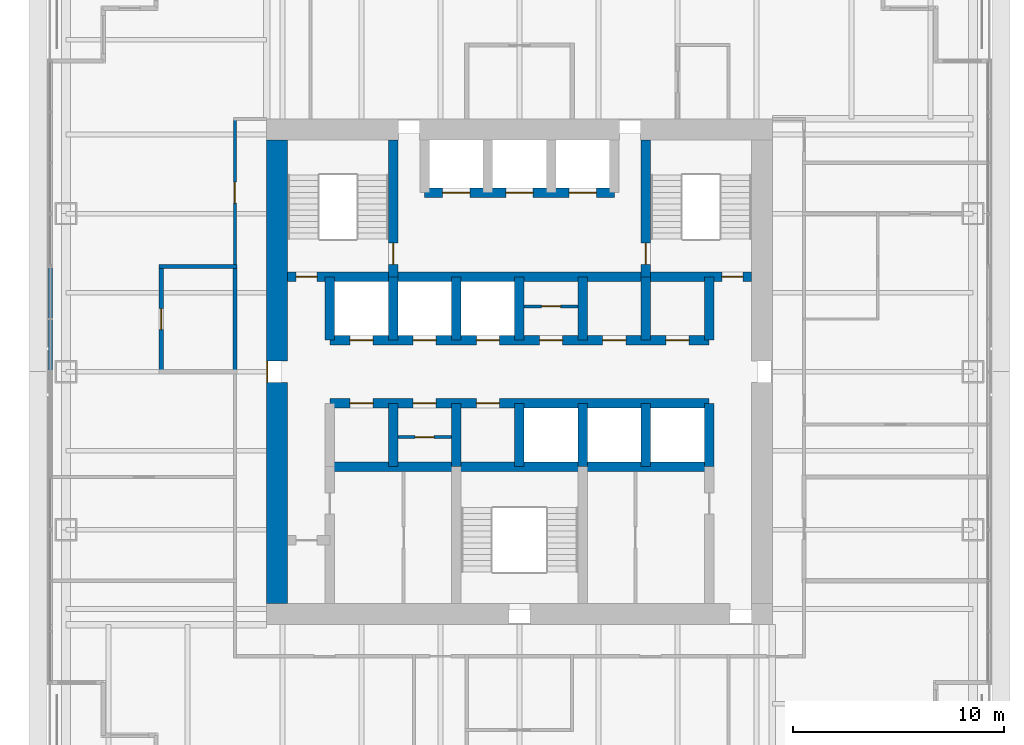
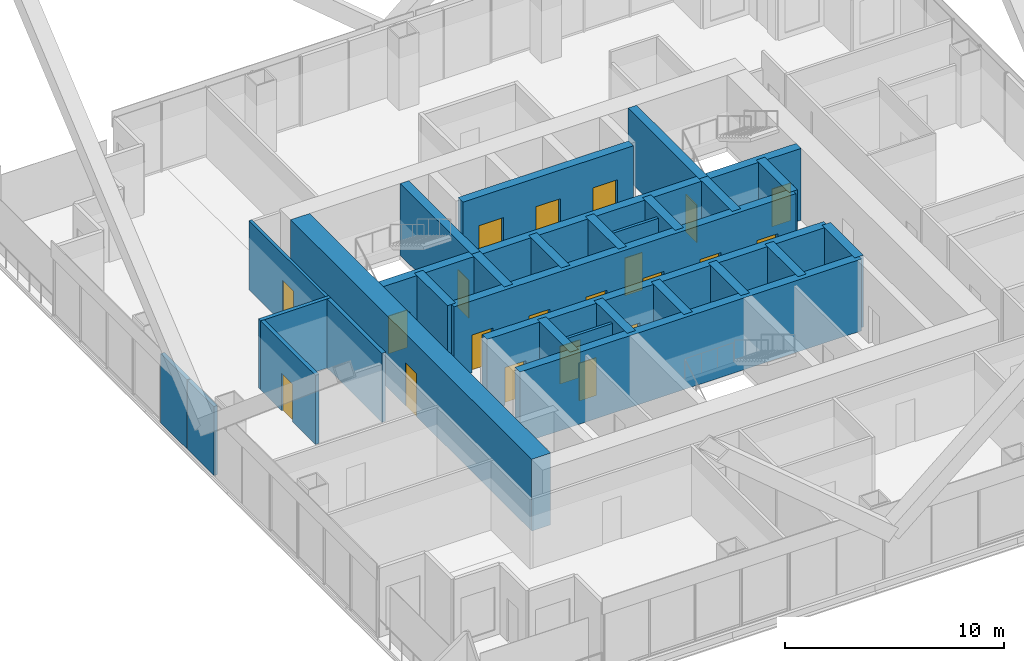
# One storey, part 15 of 19: 29 walls, 21 doors, 21 openings.
"""IFC4 building model written with IfcOpenShell, lengths in metres."""

from ifc_helpers import new_model, si_unit, direction, frame, frame_2d, origin, place, context, subcontext, project, spatial, rectangle, extrude, material, layer, layer_set, type_object, element, fill, save


model = new_model("IFC4")

# Units and contexts
model_context = context("Model", 3, precision=1e-05, world=origin(), true_north=direction((0.0, 1.0)))
body_context = subcontext(model_context, "Body", "Model", "MODEL_VIEW")
ifc_project = project(units=[si_unit("LENGTHUNIT", "METRE"), si_unit("AREAUNIT", "SQUARE_METRE"), si_unit("VOLUMEUNIT", "CUBIC_METRE"), si_unit("PLANEANGLEUNIT", "RADIAN"), si_unit("MASSUNIT", "GRAM", prefix="KILO")], contexts=[model_context])

# Site, building, storey
site_placement = place(None, origin())
site = spatial("IfcSite", under=ifc_project, at=site_placement, CompositionType="ELEMENT")
building_placement = place(site_placement, origin())
building = spatial("IfcBuilding", under=site, at=building_placement, Name="Tarangal Relay Tower", CompositionType="ELEMENT")
storey_placement = place(building_placement, frame((0.0, 0.0, 193.89990234375)))
storey = spatial("IfcBuildingStorey", under=building, at=storey_placement, Name="L40", CompositionType="ELEMENT", Elevation=193.89990234375)

# Wall
ifc_material_1 = material(Name="Two layers gypsum board each side on twin steel studs, mineral wool", Category="steel")
ifc_layer_1 = layer(ifc_material_1, 0.199951171875)
ifc_layer_set_1 = layer_set([ifc_layer_1], Name="Acoustic partition 200")
wall_type_1 = type_object("IfcWallType", Name="Acoustic partition 200", PredefinedType="PARTITIONING", material=ifc_layer_set_1)
wall_1_placement = place(storey_placement, frame((-17.10009765625, 5.0, 0.0), z_axis=(0.0, 0.0, 1.0), x_axis=(1.0, 0.0, 0.0)))
element("IfcWall", 1, at=wall_1_placement, inside=storey, type_object=wall_type_1, Name="Partition PT2 L40", PredefinedType="PARTITIONING", context=body_context, shape_type="SweptSolid", body=[
    extrude(rectangle(XDim=3.7001953125, YDim=0.199951171875, at=frame_2d((1.85009765625, 0.0))), origin(), (0.0, 0.0, 1.0), 3.85009765625),
])

# Wall, opening, door
wall_2_placement = place(storey_placement, frame((-17.0, -0.10009765625, 0.0), z_axis=(0.0, 0.0, 1.0), x_axis=(0.0, 1.0, 0.0)))
wall_2 = element("IfcWall", 2, at=wall_2_placement, inside=storey, type_object=wall_type_1, Name="Partition PT2 L40", PredefinedType="PARTITIONING", context=body_context, shape_type="SweptSolid", body=[
    extrude(rectangle(XDim=5.2001953125, YDim=0.199951171875, at=frame_2d((2.60009765625, 0.0))), origin(), (0.0, 0.0, 1.0), 3.85009765625),
])
opening_1_placement = place(wall_2_placement, frame((2.10009765625, 0.0, 0.0)))
opening_1 = element("IfcOpeningElement", 3, at=opening_1_placement, cuts=wall_2, Name="Opening D2", PredefinedType="OPENING", context=body_context, shape_type="SweptSolid", body=[
    extrude(rectangle(XDim=1.0, YDim=2.10009765625, at=frame_2d((0.5, 1.050048828125))), frame((0.0, 0.10986328125, 0.0), z_axis=(0.0, -1.0, 0.0), x_axis=(1.0, 0.0, 0.0)), (0.0, 0.0, 1.0), 0.219970703125),
])
ifc_material_2 = material(Name="Hardwood door", Category="wood")
door_type_1 = type_object("IfcDoorType", Name="Door 1000 x 2100", OperationType="SINGLE_SWING_LEFT", PredefinedType="DOOR", material=ifc_material_2)
door_1_placement = place(opening_1_placement, origin())
door_1 = element("IfcDoor", 4, at=door_1_placement, inside=storey, type_object=door_type_1, Name="Door D2 to meeting room L40-13", OperationType="SINGLE_SWING_LEFT", OverallHeight=2.10009765625, OverallWidth=1.0, PredefinedType="DOOR", context=body_context, shape_type="SweptSolid", body=[
    extrude(rectangle(XDim=1.0, YDim=2.10009765625, at=frame_2d((0.5, 1.050048828125))), frame((0.0, 0.02490234375, 0.0), z_axis=(0.0, -1.0, 0.0), x_axis=(1.0, 0.0, 0.0)), (0.0, 0.0, 1.0), 0.050048828125),
])
fill(opening_1, door_1)

# Wall
wall_3_placement = place(storey_placement, frame((-13.5, -0.10009765625, 0.0), z_axis=(0.0, 0.0, 1.0), x_axis=(0.0, 1.0, 0.0)))
element("IfcWall", 5, at=wall_3_placement, inside=storey, type_object=wall_type_1, Name="Partition PT2 L40", PredefinedType="PARTITIONING", context=body_context, shape_type="SweptSolid", body=[
    extrude(rectangle(XDim=5.2001953125, YDim=0.199951171875, at=frame_2d((2.60009765625, 0.0))), origin(), (0.0, 0.0, 1.0), 3.85009765625),
])

# Wall, openings, doors
ifc_material_3 = material(Name="Concrete fc' 60 MPa", Category="concrete")
ifc_layer_2 = layer(ifc_material_3, 0.449951171875)
ifc_layer_set_2 = layer_set([ifc_layer_2], Name="Core inner wall 450")
wall_type_2 = type_object("IfcWallType", Name="Core inner wall 450", PredefinedType="SHEAR", material=ifc_layer_set_2)
wall_4_placement = place(storey_placement, frame((-11.0, 4.5, 0.0), z_axis=(0.0, 0.0, 1.0), x_axis=(1.0, 0.0, 0.0)))
wall_4 = element("IfcWall", 6, at=wall_4_placement, inside=storey, type_object=wall_type_2, Name="Core wall Y45 L40", PredefinedType="SHEAR", context=body_context, shape_type="SweptSolid", body=[
    extrude(rectangle(XDim=22.0, YDim=0.449951171875, at=frame_2d((11.0, 0.0))), origin(), (0.0, 0.0, 1.0), 4.0),
])
opening_2_placement = place(wall_4_placement, frame((0.39990234375, 0.0, 0.0)))
opening_2 = element("IfcOpeningElement", 7, at=opening_2_placement, cuts=wall_4, Name="Opening FD1", PredefinedType="OPENING", context=body_context, shape_type="SweptSolid", body=[
    extrude(rectangle(XDim=1.0, YDim=2.10009765625, at=frame_2d((0.5, 1.050048828125))), frame((0.0, 0.23486328125, 0.0), z_axis=(0.0, -1.0, 0.0), x_axis=(1.0, 0.0, 0.0)), (0.0, 0.0, 1.0), 0.469970703125),
])
opening_3_placement = place(wall_4_placement, frame((20.60009765625, 0.0, 0.0)))
opening_3 = element("IfcOpeningElement", 8, at=opening_3_placement, cuts=wall_4, Name="Opening FD1", PredefinedType="OPENING", context=body_context, shape_type="SweptSolid", body=[
    extrude(rectangle(XDim=1.0, YDim=2.10009765625, at=frame_2d((0.5, 1.050048828125))), frame((0.0, 0.23486328125, 0.0), z_axis=(0.0, -1.0, 0.0), x_axis=(1.0, 0.0, 0.0)), (0.0, 0.0, 1.0), 0.469970703125),
])
ifc_material_4 = material(Name="Steel door with hardwood frame", Category="steel")
door_type_2 = type_object("IfcDoorType", Name="Fire door 1000 x 2100", OperationType="SINGLE_SWING_LEFT", PredefinedType="DOOR", material=ifc_material_4)
door_2_placement = place(opening_2_placement, origin())
door_2 = element("IfcDoor", 9, at=door_2_placement, inside=storey, type_object=door_type_2, Name="Stair ST-A door from corridor L40", OperationType="SINGLE_SWING_LEFT", OverallHeight=2.10009765625, OverallWidth=1.0, PredefinedType="DOOR", context=body_context, shape_type="SweptSolid", body=[
    extrude(rectangle(XDim=1.0, YDim=2.10009765625, at=frame_2d((0.5, 1.050048828125))), frame((0.0, 0.02490234375, 0.0), z_axis=(0.0, -1.0, 0.0), x_axis=(1.0, 0.0, 0.0)), (0.0, 0.0, 1.0), 0.050048828125),
])
fill(opening_2, door_2)
door_3_placement = place(opening_3_placement, origin())
door_3 = element("IfcDoor", 10, at=door_3_placement, inside=storey, type_object=door_type_2, Name="Stair ST-B door from corridor L40", OperationType="SINGLE_SWING_LEFT", OverallHeight=2.10009765625, OverallWidth=1.0, PredefinedType="DOOR", context=body_context, shape_type="SweptSolid", body=[
    extrude(rectangle(XDim=1.0, YDim=2.10009765625, at=frame_2d((0.5, 1.050048828125))), frame((0.0, 0.02490234375, 0.0), z_axis=(0.0, -1.0, 0.0), x_axis=(1.0, 0.0, 0.0)), (0.0, 0.0, 1.0), 0.050048828125),
])
fill(opening_3, door_3)

wall_5_placement = place(storey_placement, frame((-9.0, 1.5, 0.0), z_axis=(0.0, 0.0, 1.0), x_axis=(1.0, 0.0, 0.0)))
wall_5 = element("IfcWall", 11, at=wall_5_placement, inside=storey, type_object=wall_type_2, Name="Core wall Y15 L40", PredefinedType="SHEAR", context=body_context, shape_type="SweptSolid", body=[
    extrude(rectangle(XDim=18.0, YDim=0.449951171875, at=frame_2d((9.0, 0.0))), origin(), (0.0, 0.0, 1.0), 4.0),
])
opening_4_placement = place(wall_5_placement, frame((0.949951171875, 0.0, 0.0)))
opening_4 = element("IfcOpeningElement", 12, at=opening_4_placement, cuts=wall_5, Name="Opening LD1", PredefinedType="OPENING", context=body_context, shape_type="SweptSolid", body=[
    extrude(rectangle(XDim=1.10009765625, YDim=2.10009765625, at=frame_2d((0.550048828125, 1.050048828125))), frame((0.0, 0.23486328125, 0.0), z_axis=(0.0, -1.0, 0.0), x_axis=(1.0, 0.0, 0.0)), (0.0, 0.0, 1.0), 0.469970703125),
])
opening_5_placement = place(wall_5_placement, frame((3.949951171875, 0.0, 0.0)))
opening_5 = element("IfcOpeningElement", 13, at=opening_5_placement, cuts=wall_5, Name="Opening LD1", PredefinedType="OPENING", context=body_context, shape_type="SweptSolid", body=[
    extrude(rectangle(XDim=1.10009765625, YDim=2.10009765625, at=frame_2d((0.550048828125, 1.050048828125))), frame((0.0, 0.23486328125, 0.0), z_axis=(0.0, -1.0, 0.0), x_axis=(1.0, 0.0, 0.0)), (0.0, 0.0, 1.0), 0.469970703125),
])
opening_6_placement = place(wall_5_placement, frame((6.949951171875, 0.0, 0.0)))
opening_6 = element("IfcOpeningElement", 14, at=opening_6_placement, cuts=wall_5, Name="Opening LD1", PredefinedType="OPENING", context=body_context, shape_type="SweptSolid", body=[
    extrude(rectangle(XDim=1.10009765625, YDim=2.10009765625, at=frame_2d((0.550048828125, 1.050048828125))), frame((0.0, 0.23486328125, 0.0), z_axis=(0.0, -1.0, 0.0), x_axis=(1.0, 0.0, 0.0)), (0.0, 0.0, 1.0), 0.469970703125),
])
opening_7_placement = place(wall_5_placement, frame((9.949951171875, 0.0, 0.0)))
opening_7 = element("IfcOpeningElement", 15, at=opening_7_placement, cuts=wall_5, Name="Opening D4", PredefinedType="OPENING", context=body_context, shape_type="SweptSolid", body=[
    extrude(rectangle(XDim=1.10009765625, YDim=2.10009765625, at=frame_2d((0.550048828125, 1.050048828125))), frame((0.0, 0.23486328125, 0.0), z_axis=(0.0, -1.0, 0.0), x_axis=(1.0, 0.0, 0.0)), (0.0, 0.0, 1.0), 0.469970703125),
])
opening_8_placement = place(wall_5_placement, frame((12.949951171875, 0.0, 0.0)))
opening_8 = element("IfcOpeningElement", 16, at=opening_8_placement, cuts=wall_5, Name="Opening D4", PredefinedType="OPENING", context=body_context, shape_type="SweptSolid", body=[
    extrude(rectangle(XDim=1.10009765625, YDim=2.10009765625, at=frame_2d((0.550048828125, 1.050048828125))), frame((0.0, 0.23486328125, 0.0), z_axis=(0.0, -1.0, 0.0), x_axis=(1.0, 0.0, 0.0)), (0.0, 0.0, 1.0), 0.469970703125),
])
opening_9_placement = place(wall_5_placement, frame((15.949951171875, 0.0, 0.0)))
opening_9 = element("IfcOpeningElement", 17, at=opening_9_placement, cuts=wall_5, Name="Opening D4", PredefinedType="OPENING", context=body_context, shape_type="SweptSolid", body=[
    extrude(rectangle(XDim=1.10009765625, YDim=2.10009765625, at=frame_2d((0.550048828125, 1.050048828125))), frame((0.0, 0.23486328125, 0.0), z_axis=(0.0, -1.0, 0.0), x_axis=(1.0, 0.0, 0.0)), (0.0, 0.0, 1.0), 0.469970703125),
])
door_type_3 = type_object("IfcDoorType", Name="Core room door 1100 x 2100", OperationType="SINGLE_SWING_RIGHT", PredefinedType="DOOR", material=ifc_material_4)
door_4_placement = place(opening_7_placement, origin())
door_4 = element("IfcDoor", 18, at=door_4_placement, inside=storey, type_object=door_type_3, Name="Door D4 to it room L40-T1", OperationType="SINGLE_SWING_RIGHT", OverallHeight=2.10009765625, OverallWidth=1.10009765625, PredefinedType="DOOR", context=body_context, shape_type="SweptSolid", body=[
    extrude(rectangle(XDim=1.10009765625, YDim=2.10009765625, at=frame_2d((0.550048828125, 1.050048828125))), frame((0.0, 0.02490234375, 0.0), z_axis=(0.0, -1.0, 0.0), x_axis=(1.0, 0.0, 0.0)), (0.0, 0.0, 1.0), 0.050048828125),
])
fill(opening_7, door_4)
door_5_placement = place(opening_8_placement, origin())
door_5 = element("IfcDoor", 19, at=door_5_placement, inside=storey, type_object=door_type_3, Name="Door D4 to cleaner's store L40-T2", OperationType="SINGLE_SWING_RIGHT", OverallHeight=2.10009765625, OverallWidth=1.10009765625, PredefinedType="DOOR", context=body_context, shape_type="SweptSolid", body=[
    extrude(rectangle(XDim=1.10009765625, YDim=2.10009765625, at=frame_2d((0.550048828125, 1.050048828125))), frame((0.0, 0.02490234375, 0.0), z_axis=(0.0, -1.0, 0.0), x_axis=(1.0, 0.0, 0.0)), (0.0, 0.0, 1.0), 0.050048828125),
])
fill(opening_8, door_5)
door_6_placement = place(opening_9_placement, origin())
door_6 = element("IfcDoor", 20, at=door_6_placement, inside=storey, type_object=door_type_3, Name="Door D4 to staff wc L40-T3", OperationType="SINGLE_SWING_RIGHT", OverallHeight=2.10009765625, OverallWidth=1.10009765625, PredefinedType="DOOR", context=body_context, shape_type="SweptSolid", body=[
    extrude(rectangle(XDim=1.10009765625, YDim=2.10009765625, at=frame_2d((0.550048828125, 1.050048828125))), frame((0.0, 0.02490234375, 0.0), z_axis=(0.0, -1.0, 0.0), x_axis=(1.0, 0.0, 0.0)), (0.0, 0.0, 1.0), 0.050048828125),
])
fill(opening_9, door_6)
door_type_4 = type_object("IfcDoorType", Name="Lift landing door 1100 x 2100", OperationType="SLIDING_TO_LEFT", PredefinedType="DOOR", material=ifc_material_4)
door_7_placement = place(opening_4_placement, origin())
door_7 = element("IfcDoor", 21, at=door_7_placement, inside=storey, type_object=door_type_4, Name="Lift OL1 landing door L40", OperationType="SLIDING_TO_LEFT", OverallHeight=2.10009765625, OverallWidth=1.10009765625, PredefinedType="DOOR", context=body_context, shape_type="SweptSolid", body=[
    extrude(rectangle(XDim=1.10009765625, YDim=2.10009765625, at=frame_2d((0.550048828125, 1.050048828125))), frame((0.0, 0.02490234375, 0.0), z_axis=(0.0, -1.0, 0.0), x_axis=(1.0, 0.0, 0.0)), (0.0, 0.0, 1.0), 0.050048828125),
])
fill(opening_4, door_7)
door_8_placement = place(opening_5_placement, origin())
door_8 = element("IfcDoor", 22, at=door_8_placement, inside=storey, type_object=door_type_4, Name="Lift OL2 landing door L40", OperationType="SLIDING_TO_LEFT", OverallHeight=2.10009765625, OverallWidth=1.10009765625, PredefinedType="DOOR", context=body_context, shape_type="SweptSolid", body=[
    extrude(rectangle(XDim=1.10009765625, YDim=2.10009765625, at=frame_2d((0.550048828125, 1.050048828125))), frame((0.0, 0.02490234375, 0.0), z_axis=(0.0, -1.0, 0.0), x_axis=(1.0, 0.0, 0.0)), (0.0, 0.0, 1.0), 0.050048828125),
])
fill(opening_5, door_8)
door_9_placement = place(opening_6_placement, origin())
door_9 = element("IfcDoor", 23, at=door_9_placement, inside=storey, type_object=door_type_4, Name="Lift OL3 landing door L40", OperationType="SLIDING_TO_LEFT", OverallHeight=2.10009765625, OverallWidth=1.10009765625, PredefinedType="DOOR", context=body_context, shape_type="SweptSolid", body=[
    extrude(rectangle(XDim=1.10009765625, YDim=2.10009765625, at=frame_2d((0.550048828125, 1.050048828125))), frame((0.0, 0.02490234375, 0.0), z_axis=(0.0, -1.0, 0.0), x_axis=(1.0, 0.0, 0.0)), (0.0, 0.0, 1.0), 0.050048828125),
])
fill(opening_6, door_9)

wall_6_placement = place(storey_placement, frame((-9.0, -1.5, 0.0), z_axis=(0.0, 0.0, 1.0), x_axis=(1.0, 0.0, 0.0)))
wall_6 = element("IfcWall", 24, at=wall_6_placement, inside=storey, type_object=wall_type_2, Name="Core wall YM15 L40", PredefinedType="SHEAR", context=body_context, shape_type="SweptSolid", body=[
    extrude(rectangle(XDim=18.0, YDim=0.449951171875, at=frame_2d((9.0, 0.0))), origin(), (0.0, 0.0, 1.0), 4.0),
])
opening_10_placement = place(wall_6_placement, frame((0.949951171875, 0.0, 0.0)))
opening_10 = element("IfcOpeningElement", 25, at=opening_10_placement, cuts=wall_6, Name="Opening D4", PredefinedType="OPENING", context=body_context, shape_type="SweptSolid", body=[
    extrude(rectangle(XDim=1.10009765625, YDim=2.10009765625, at=frame_2d((0.550048828125, 1.050048828125))), frame((0.0, 0.23486328125, 0.0), z_axis=(0.0, -1.0, 0.0), x_axis=(1.0, 0.0, 0.0)), (0.0, 0.0, 1.0), 0.469970703125),
])
opening_11_placement = place(wall_6_placement, frame((3.949951171875, 0.0, 0.0)))
opening_11 = element("IfcOpeningElement", 26, at=opening_11_placement, cuts=wall_6, Name="Opening D4", PredefinedType="OPENING", context=body_context, shape_type="SweptSolid", body=[
    extrude(rectangle(XDim=1.10009765625, YDim=2.10009765625, at=frame_2d((0.550048828125, 1.050048828125))), frame((0.0, 0.23486328125, 0.0), z_axis=(0.0, -1.0, 0.0), x_axis=(1.0, 0.0, 0.0)), (0.0, 0.0, 1.0), 0.469970703125),
])
opening_12_placement = place(wall_6_placement, frame((6.949951171875, 0.0, 0.0)))
opening_12 = element("IfcOpeningElement", 27, at=opening_12_placement, cuts=wall_6, Name="Opening D4", PredefinedType="OPENING", context=body_context, shape_type="SweptSolid", body=[
    extrude(rectangle(XDim=1.10009765625, YDim=2.10009765625, at=frame_2d((0.550048828125, 1.050048828125))), frame((0.0, 0.23486328125, 0.0), z_axis=(0.0, -1.0, 0.0), x_axis=(1.0, 0.0, 0.0)), (0.0, 0.0, 1.0), 0.469970703125),
])
door_10_placement = place(opening_10_placement, origin())
door_10 = element("IfcDoor", 28, at=door_10_placement, inside=storey, type_object=door_type_3, Name="Door D4 to staff pantry L40-S1", OperationType="SINGLE_SWING_RIGHT", OverallHeight=2.10009765625, OverallWidth=1.10009765625, PredefinedType="DOOR", context=body_context, shape_type="SweptSolid", body=[
    extrude(rectangle(XDim=1.10009765625, YDim=2.10009765625, at=frame_2d((0.550048828125, 1.050048828125))), frame((0.0, 0.02490234375, 0.0), z_axis=(0.0, -1.0, 0.0), x_axis=(1.0, 0.0, 0.0)), (0.0, 0.0, 1.0), 0.050048828125),
])
fill(opening_10, door_10)
door_11_placement = place(opening_11_placement, origin())
door_11 = element("IfcDoor", 29, at=door_11_placement, inside=storey, type_object=door_type_3, Name="Door D4 to it room L40-S2", OperationType="SINGLE_SWING_RIGHT", OverallHeight=2.10009765625, OverallWidth=1.10009765625, PredefinedType="DOOR", context=body_context, shape_type="SweptSolid", body=[
    extrude(rectangle(XDim=1.10009765625, YDim=2.10009765625, at=frame_2d((0.550048828125, 1.050048828125))), frame((0.0, 0.02490234375, 0.0), z_axis=(0.0, -1.0, 0.0), x_axis=(1.0, 0.0, 0.0)), (0.0, 0.0, 1.0), 0.050048828125),
])
fill(opening_11, door_11)
door_12_placement = place(opening_12_placement, origin())
door_12 = element("IfcDoor", 30, at=door_12_placement, inside=storey, type_object=door_type_3, Name="Door D4 to cleaner's store L40-S3", OperationType="SINGLE_SWING_RIGHT", OverallHeight=2.10009765625, OverallWidth=1.10009765625, PredefinedType="DOOR", context=body_context, shape_type="SweptSolid", body=[
    extrude(rectangle(XDim=1.10009765625, YDim=2.10009765625, at=frame_2d((0.550048828125, 1.050048828125))), frame((0.0, 0.02490234375, 0.0), z_axis=(0.0, -1.0, 0.0), x_axis=(1.0, 0.0, 0.0)), (0.0, 0.0, 1.0), 0.050048828125),
])
fill(opening_12, door_12)

# Wall
wall_7_placement = place(storey_placement, frame((-9.0, -4.5, 0.0), z_axis=(0.0, 0.0, 1.0), x_axis=(1.0, 0.0, 0.0)))
element("IfcWall", 31, at=wall_7_placement, inside=storey, type_object=wall_type_2, Name="Core wall YM45 L40", PredefinedType="SHEAR", context=body_context, shape_type="SweptSolid", body=[
    extrude(rectangle(XDim=18.0, YDim=0.449951171875, at=frame_2d((9.0, 0.0))), origin(), (0.0, 0.0, 1.0), 4.0),
])

# Wall, openings, doors
wall_8_placement = place(storey_placement, frame((-4.5, 8.5, 0.0), z_axis=(0.0, 0.0, 1.0), x_axis=(1.0, 0.0, 0.0)))
wall_8 = element("IfcWall", 32, at=wall_8_placement, inside=storey, type_object=wall_type_2, Name="Core wall Y85 L40", PredefinedType="SHEAR", context=body_context, shape_type="SweptSolid", body=[
    extrude(rectangle(XDim=9.0, YDim=0.449951171875, at=frame_2d((4.5, 0.0))), origin(), (0.0, 0.0, 1.0), 4.0),
])
opening_13_placement = place(wall_8_placement, frame((0.85009765625, 0.0, 0.0)))
opening_13 = element("IfcOpeningElement", 33, at=opening_13_placement, cuts=wall_8, Name="Opening LD2", PredefinedType="OPENING", context=body_context, shape_type="SweptSolid", body=[
    extrude(rectangle(XDim=1.300048828125, YDim=2.39990234375, at=frame_2d((0.64990234375, 1.199951171875))), frame((0.0, 0.23486328125, 0.0), z_axis=(0.0, -1.0, 0.0), x_axis=(1.0, 0.0, 0.0)), (0.0, 0.0, 1.0), 0.469970703125),
])
opening_14_placement = place(wall_8_placement, frame((6.85009765625, 0.0, 0.0)))
opening_14 = element("IfcOpeningElement", 34, at=opening_14_placement, cuts=wall_8, Name="Opening LD2", PredefinedType="OPENING", context=body_context, shape_type="SweptSolid", body=[
    extrude(rectangle(XDim=1.300048828125, YDim=2.39990234375, at=frame_2d((0.64990234375, 1.199951171875))), frame((0.0, 0.23486328125, 0.0), z_axis=(0.0, -1.0, 0.0), x_axis=(1.0, 0.0, 0.0)), (0.0, 0.0, 1.0), 0.469970703125),
])
opening_15_placement = place(wall_8_placement, frame((3.85009765625, 0.0, 0.0)))
opening_15 = element("IfcOpeningElement", 35, at=opening_15_placement, cuts=wall_8, Name="Opening LD2", PredefinedType="OPENING", context=body_context, shape_type="SweptSolid", body=[
    extrude(rectangle(XDim=1.300048828125, YDim=2.39990234375, at=frame_2d((0.64990234375, 1.199951171875))), frame((0.0, 0.23486328125, 0.0), z_axis=(0.0, -1.0, 0.0), x_axis=(1.0, 0.0, 0.0)), (0.0, 0.0, 1.0), 0.469970703125),
])
door_type_5 = type_object("IfcDoorType", Name="Lift landing door 1300 x 2400", OperationType="SLIDING_TO_LEFT", PredefinedType="DOOR", material=ifc_material_4)
door_13_placement = place(opening_13_placement, origin())
door_13 = element("IfcDoor", 36, at=door_13_placement, inside=storey, type_object=door_type_5, Name="Lift FF1 landing door L40", OperationType="SLIDING_TO_LEFT", OverallHeight=2.39990234375, OverallWidth=1.300048828125, PredefinedType="DOOR", context=body_context, shape_type="SweptSolid", body=[
    extrude(rectangle(XDim=1.300048828125, YDim=2.39990234375, at=frame_2d((0.64990234375, 1.199951171875))), frame((0.0, 0.02490234375, 0.0), z_axis=(0.0, -1.0, 0.0), x_axis=(1.0, 0.0, 0.0)), (0.0, 0.0, 1.0), 0.050048828125),
])
fill(opening_13, door_13)
door_14_placement = place(opening_14_placement, origin())
door_14 = element("IfcDoor", 37, at=door_14_placement, inside=storey, type_object=door_type_5, Name="Lift FF2 landing door L40", OperationType="SLIDING_TO_LEFT", OverallHeight=2.39990234375, OverallWidth=1.300048828125, PredefinedType="DOOR", context=body_context, shape_type="SweptSolid", body=[
    extrude(rectangle(XDim=1.300048828125, YDim=2.39990234375, at=frame_2d((0.64990234375, 1.199951171875))), frame((0.0, 0.02490234375, 0.0), z_axis=(0.0, -1.0, 0.0), x_axis=(1.0, 0.0, 0.0)), (0.0, 0.0, 1.0), 0.050048828125),
])
fill(opening_14, door_14)
door_15_placement = place(opening_15_placement, origin())
door_15 = element("IfcDoor", 38, at=door_15_placement, inside=storey, type_object=door_type_5, Name="Lift SV1 landing door L40", OperationType="SLIDING_TO_LEFT", OverallHeight=2.39990234375, OverallWidth=1.300048828125, PredefinedType="DOOR", context=body_context, shape_type="SweptSolid", body=[
    extrude(rectangle(XDim=1.300048828125, YDim=2.39990234375, at=frame_2d((0.64990234375, 1.199951171875))), frame((0.0, 0.02490234375, 0.0), z_axis=(0.0, -1.0, 0.0), x_axis=(1.0, 0.0, 0.0)), (0.0, 0.0, 1.0), 0.050048828125),
])
fill(opening_15, door_15)

# Walls
for number, where, z_axis, x_axis, name in (
    (39, (-9.0, 1.5, 0.0), (0.0, 0.0, 1.0), (0.0, 1.0, 0.0), "Core wall XM9N L40"),
    (40, (9.0, 1.5, 0.0), (0.0, 0.0, 1.0), (0.0, 1.0, 0.0), "Core wall X9N L40"),
    (41, (9.0, -4.5, 0.0), (0.0, 0.0, 1.0), (0.0, 1.0, 0.0), "Core wall X9S L40"),
    (42, (-6.0, 1.5, 0.0), (0.0, 0.0, 1.0), (0.0, 1.0, 0.0), "Core wall XM6N L40"),
    (43, (-3.0, 1.5, 0.0), (0.0, 0.0, 1.0), (0.0, 1.0, 0.0), "Core wall XM3N L40"),
    (44, (0.0, 1.5, 0.0), (0.0, 0.0, 1.0), (0.0, 1.0, 0.0), "Core wall X0N L40"),
    (45, (3.0, 1.5, 0.0), (0.0, 0.0, 1.0), (0.0, 1.0, 0.0), "Core wall X3N L40"),
    (46, (6.0, 1.5, 0.0), (0.0, 0.0, 1.0), (0.0, 1.0, 0.0), "Core wall X6N L40"),
    (47, (-6.0, -4.5, 0.0), (0.0, 0.0, 1.0), (0.0, 1.0, 0.0), "Core wall XM6S L40"),
    (48, (-3.0, -4.5, 0.0), (0.0, 0.0, 1.0), (0.0, 1.0, 0.0), "Core wall XM3S L40"),
    (49, (0.0, -4.5, 0.0), (0.0, 0.0, 1.0), (0.0, 1.0, 0.0), "Core wall X0S L40"),
    (50, (3.0, -4.5, 0.0), (0.0, 0.0, 1.0), (0.0, 1.0, 0.0), "Core wall X3S L40"),
    (51, (6.0, -4.5, 0.0), (0.0, 0.0, 1.0), (0.0, 1.0, 0.0), "Core wall X6S L40"),
):
    element("IfcWall", number, at=place(storey_placement, frame(where, z_axis=z_axis, x_axis=x_axis)), inside=storey, type_object=wall_type_2, Name=name, PredefinedType="SHEAR", context=body_context, shape_type="SweptSolid", body=[
        extrude(rectangle(XDim=3.0, YDim=0.449951171875, at=frame_2d((1.5, 0.0))), origin(), (0.0, 0.0, 1.0), 4.0),
    ])

# Wall, opening, door
wall_9_placement = place(storey_placement, frame((-6.0, 4.5, 0.0), z_axis=(0.0, 0.0, 1.0), x_axis=(0.0, 1.0, 0.0)))
wall_9 = element("IfcWall", 52, at=wall_9_placement, inside=storey, type_object=wall_type_2, Name="Core wall XM6 L40", PredefinedType="SHEAR", context=body_context, shape_type="SweptSolid", body=[
    extrude(rectangle(XDim=6.5, YDim=0.449951171875, at=frame_2d((3.25, 0.0))), origin(), (0.0, 0.0, 1.0), 4.0),
])
opening_16_placement = place(wall_9_placement, frame((0.60009765625, 0.0, 0.0)))
opening_16 = element("IfcOpeningElement", 53, at=opening_16_placement, cuts=wall_9, Name="Opening FD1", PredefinedType="OPENING", context=body_context, shape_type="SweptSolid", body=[
    extrude(rectangle(XDim=1.0, YDim=2.10009765625, at=frame_2d((0.5, 1.050048828125))), frame((0.0, 0.23486328125, 0.0), z_axis=(0.0, -1.0, 0.0), x_axis=(1.0, 0.0, 0.0)), (0.0, 0.0, 1.0), 0.469970703125),
])
door_16_placement = place(opening_16_placement, origin())
door_16 = element("IfcDoor", 54, at=door_16_placement, inside=storey, type_object=door_type_2, Name="Stair ST-A door from fire-fighting lobby L40", OperationType="SINGLE_SWING_LEFT", OverallHeight=2.10009765625, OverallWidth=1.0, PredefinedType="DOOR", context=body_context, shape_type="SweptSolid", body=[
    extrude(rectangle(XDim=1.0, YDim=2.10009765625, at=frame_2d((0.5, 1.050048828125))), frame((0.0, 0.02490234375, 0.0), z_axis=(0.0, -1.0, 0.0), x_axis=(1.0, 0.0, 0.0)), (0.0, 0.0, 1.0), 0.050048828125),
])
fill(opening_16, door_16)

wall_10_placement = place(storey_placement, frame((6.0, 4.5, 0.0), z_axis=(0.0, 0.0, 1.0), x_axis=(0.0, 1.0, 0.0)))
wall_10 = element("IfcWall", 55, at=wall_10_placement, inside=storey, type_object=wall_type_2, Name="Core wall X6 L40", PredefinedType="SHEAR", context=body_context, shape_type="SweptSolid", body=[
    extrude(rectangle(XDim=6.5, YDim=0.449951171875, at=frame_2d((3.25, 0.0))), origin(), (0.0, 0.0, 1.0), 4.0),
])
opening_17_placement = place(wall_10_placement, frame((0.60009765625, 0.0, 0.0)))
opening_17 = element("IfcOpeningElement", 56, at=opening_17_placement, cuts=wall_10, Name="Opening FD1", PredefinedType="OPENING", context=body_context, shape_type="SweptSolid", body=[
    extrude(rectangle(XDim=1.0, YDim=2.10009765625, at=frame_2d((0.5, 1.050048828125))), frame((0.0, 0.23486328125, 0.0), z_axis=(0.0, -1.0, 0.0), x_axis=(1.0, 0.0, 0.0)), (0.0, 0.0, 1.0), 0.469970703125),
])
door_17_placement = place(opening_17_placement, origin())
door_17 = element("IfcDoor", 57, at=door_17_placement, inside=storey, type_object=door_type_2, Name="Stair ST-B door from fire-fighting lobby L40", OperationType="SINGLE_SWING_LEFT", OverallHeight=2.10009765625, OverallWidth=1.0, PredefinedType="DOOR", context=body_context, shape_type="SweptSolid", body=[
    extrude(rectangle(XDim=1.0, YDim=2.10009765625, at=frame_2d((0.5, 1.050048828125))), frame((0.0, 0.02490234375, 0.0), z_axis=(0.0, -1.0, 0.0), x_axis=(1.0, 0.0, 0.0)), (0.0, 0.0, 1.0), 0.050048828125),
])
fill(opening_17, door_17)

ifc_layer_3 = layer(ifc_material_3, 1.0)
ifc_layer_set_3 = layer_set([ifc_layer_3], Name="Core wall 1000")
wall_type_3 = type_object("IfcWallType", Name="Core wall 1000", PredefinedType="SHEAR", material=ifc_layer_set_3)
wall_11_placement = place(storey_placement, frame((-11.5, -11.0, 0.0), z_axis=(0.0, 0.0, 1.0), x_axis=(0.0, 1.0, 0.0)))
wall_11 = element("IfcWall", 58, at=wall_11_placement, inside=storey, type_object=wall_type_3, Name="Core wall W L40", PredefinedType="SHEAR", context=body_context, shape_type="SweptSolid", body=[
    extrude(rectangle(XDim=22.0, YDim=1.0, at=frame_2d((11.0, 0.0))), origin(), (0.0, 0.0, 1.0), 4.0),
])
opening_18_placement = place(wall_11_placement, frame((10.5, 0.0, 0.0)))
opening_18 = element("IfcOpeningElement", 59, at=opening_18_placement, cuts=wall_11, Name="Opening FD3", PredefinedType="OPENING", context=body_context, shape_type="SweptSolid", body=[
    extrude(rectangle(XDim=1.0, YDim=2.39990234375, at=frame_2d((0.5, 1.199951171875))), frame((0.0, 0.510009765625, 0.0), z_axis=(0.0, -1.0, 0.0), x_axis=(1.0, 0.0, 0.0)), (0.0, 0.0, 1.0), 1.02001953125),
])
door_type_6 = type_object("IfcDoorType", Name="Fire door 1000 x 2400 core entry", OperationType="SINGLE_SWING_RIGHT", PredefinedType="DOOR", material=ifc_material_4)
door_18_placement = place(opening_18_placement, origin())
door_18 = element("IfcDoor", 60, at=door_18_placement, inside=storey, type_object=door_type_6, Name="Core entry door west L40", OperationType="SINGLE_SWING_RIGHT", OverallHeight=2.39990234375, OverallWidth=1.0, PredefinedType="DOOR", context=body_context, shape_type="SweptSolid", body=[
    extrude(rectangle(XDim=1.0, YDim=2.39990234375, at=frame_2d((0.5, 1.199951171875))), frame((0.0, 0.48486328125, 0.0), z_axis=(0.0, -1.0, 0.0), x_axis=(1.0, 0.0, 0.0)), (0.0, 0.0, 1.0), 0.050048828125),
])
fill(opening_18, door_18)

# Walls
ifc_material_5 = material(Name="Black metal clad insulated wall", Category="steel")
ifc_layer_4 = layer(ifc_material_5, 0.199951171875)
ifc_layer_set_4 = layer_set([ifc_layer_4], Name="Facade infill wall metal clad 200")
wall_type_4 = type_object("IfcWallType", Name="Facade infill wall metal clad 200", PredefinedType="SOLIDWALL", material=ifc_layer_set_4)
for number, where, z_axis, x_axis, name in (
    (61, (-22.25, 0.06494140625, 0.0), (0.0, 0.0, 1.0), (0.0, 1.0, 0.0), "Facade infill wall W facade L40 1.1"),
    (62, (-22.25, 2.532470703125, 0.0), (0.0, 0.0, 1.0), (0.0, 1.0, 0.0), "Facade infill wall W facade L40 2.1"),
):
    element("IfcWall", number, at=place(storey_placement, frame(where, z_axis=z_axis, x_axis=x_axis)), inside=storey, type_object=wall_type_4, Name=name, PredefinedType="SOLIDWALL", context=body_context, shape_type="SweptSolid", body=[
        extrude(rectangle(XDim=2.402587890625, YDim=0.199951171875, at=frame_2d((1.201171875, 0.0))), origin(), (0.0, 0.0, 1.0), 3.85009765625),
    ])

# Wall, opening, door
ifc_material_6 = material(Name="Gypsum board on steel studs", Category="steel")
ifc_layer_5 = layer(ifc_material_6, 0.14990234375)
ifc_layer_set_5 = layer_set([ifc_layer_5], Name="Partition 150")
wall_type_5 = type_object("IfcWallType", Name="Partition 150", PredefinedType="PARTITIONING", material=ifc_layer_set_5)
wall_12_placement = place(storey_placement, frame((-13.5, 4.925048828125, 0.0), z_axis=(0.0, 0.0, 1.0), x_axis=(0.0, 1.0, 0.0)))
wall_12 = element("IfcWall", 63, at=wall_12_placement, inside=storey, type_object=wall_type_5, Name="Partition PT1 L40", PredefinedType="PARTITIONING", context=body_context, shape_type="SweptSolid", body=[
    extrude(rectangle(XDim=7.14990234375, YDim=0.14990234375, at=frame_2d((3.574951171875, 0.0))), origin(), (0.0, 0.0, 1.0), 3.85009765625),
])
opening_19_placement = place(wall_12_placement, frame((3.074951171875, 0.0, 0.0)))
opening_19 = element("IfcOpeningElement", 64, at=opening_19_placement, cuts=wall_12, Name="Opening SD1", PredefinedType="OPENING", context=body_context, shape_type="SweptSolid", body=[
    extrude(rectangle(XDim=1.0, YDim=2.39990234375, at=frame_2d((0.5, 1.199951171875))), frame((0.0, 0.0849609375, 0.0), z_axis=(0.0, -1.0, 0.0), x_axis=(1.0, 0.0, 0.0)), (0.0, 0.0, 1.0), 0.169921875),
])
door_type_7 = type_object("IfcDoorType", Name="Suite entrance door 1000 x 2400", OperationType="SINGLE_SWING_RIGHT", PredefinedType="DOOR", material=ifc_material_4)
door_19_placement = place(opening_19_placement, origin())
door_19 = element("IfcDoor", 65, at=door_19_placement, inside=storey, type_object=door_type_7, Name="Door SD1 to open plan office L40-16", OperationType="SINGLE_SWING_RIGHT", OverallHeight=2.39990234375, OverallWidth=1.0, PredefinedType="DOOR", context=body_context, shape_type="SweptSolid", body=[
    extrude(rectangle(XDim=1.0, YDim=2.39990234375, at=frame_2d((0.5, 1.199951171875))), frame((0.0, 0.02490234375, 0.0), z_axis=(0.0, -1.0, 0.0), x_axis=(1.0, 0.0, 0.0)), (0.0, 0.0, 1.0), 0.050048828125),
])
fill(opening_19, door_19)

wall_13_placement = place(storey_placement, frame((0.22509765625, 3.10009765625, 0.0), z_axis=(0.0, 0.0, 1.0), x_axis=(1.0, 0.0, 0.0)))
wall_13 = element("IfcWall", 66, at=wall_13_placement, inside=storey, type_object=wall_type_5, Name="Partition PT1 L40", PredefinedType="PARTITIONING", context=body_context, shape_type="SweptSolid", body=[
    extrude(rectangle(XDim=2.5498046875, YDim=0.14990234375, at=frame_2d((1.27490234375, 0.0))), origin(), (0.0, 0.0, 1.0), 3.75),
])
opening_20_placement = place(wall_13_placement, frame((0.824951171875, 0.0, 0.0)))
opening_20 = element("IfcOpeningElement", 67, at=opening_20_placement, cuts=wall_13, Name="Opening D5", PredefinedType="OPENING", context=body_context, shape_type="SweptSolid", body=[
    extrude(rectangle(XDim=0.89990234375, YDim=2.10009765625, at=frame_2d((0.449951171875, 1.050048828125))), frame((0.0, 0.0849609375, 0.0), z_axis=(0.0, -1.0, 0.0), x_axis=(1.0, 0.0, 0.0)), (0.0, 0.0, 1.0), 0.169921875),
])
door_type_8 = type_object("IfcDoorType", Name="Cupboard door 900 x 2100", OperationType="SINGLE_SWING_LEFT", PredefinedType="DOOR", material=ifc_material_2)
door_20_placement = place(opening_20_placement, origin())
door_20 = element("IfcDoor", 68, at=door_20_placement, inside=storey, type_object=door_type_8, Name="Door D5 to it patch cupboard L40-T1B", OperationType="SINGLE_SWING_LEFT", OverallHeight=2.10009765625, OverallWidth=0.89990234375, PredefinedType="DOOR", context=body_context, shape_type="SweptSolid", body=[
    extrude(rectangle(XDim=0.89990234375, YDim=2.10009765625, at=frame_2d((0.449951171875, 1.050048828125))), frame((0.0, 0.02490234375, 0.0), z_axis=(0.0, -1.0, 0.0), x_axis=(1.0, 0.0, 0.0)), (0.0, 0.0, 1.0), 0.050048828125),
])
fill(opening_20, door_20)

wall_14_placement = place(storey_placement, frame((-5.77490234375, -3.10009765625, 0.0), z_axis=(0.0, 0.0, 1.0), x_axis=(1.0, 0.0, 0.0)))
wall_14 = element("IfcWall", 69, at=wall_14_placement, inside=storey, type_object=wall_type_5, Name="Partition PT1 L40", PredefinedType="PARTITIONING", context=body_context, shape_type="SweptSolid", body=[
    extrude(rectangle(XDim=2.5498046875, YDim=0.14990234375, at=frame_2d((1.27490234375, 0.0))), origin(), (0.0, 0.0, 1.0), 3.75),
])
opening_21_placement = place(wall_14_placement, frame((0.824951171875, 0.0, 0.0)))
opening_21 = element("IfcOpeningElement", 70, at=opening_21_placement, cuts=wall_14, Name="Opening D5", PredefinedType="OPENING", context=body_context, shape_type="SweptSolid", body=[
    extrude(rectangle(XDim=0.89990234375, YDim=2.10009765625, at=frame_2d((0.449951171875, 1.050048828125))), frame((0.0, 0.0849609375, 0.0), z_axis=(0.0, -1.0, 0.0), x_axis=(1.0, 0.0, 0.0)), (0.0, 0.0, 1.0), 0.169921875),
])
door_21_placement = place(opening_21_placement, origin())
door_21 = element("IfcDoor", 71, at=door_21_placement, inside=storey, type_object=door_type_8, Name="Door D5 to it patch cupboard L40-S2B", OperationType="SINGLE_SWING_LEFT", OverallHeight=2.10009765625, OverallWidth=0.89990234375, PredefinedType="DOOR", context=body_context, shape_type="SweptSolid", body=[
    extrude(rectangle(XDim=0.89990234375, YDim=2.10009765625, at=frame_2d((0.449951171875, 1.050048828125))), frame((0.0, 0.02490234375, 0.0), z_axis=(0.0, -1.0, 0.0), x_axis=(1.0, 0.0, 0.0)), (0.0, 0.0, 1.0), 0.050048828125),
])
fill(opening_21, door_21)

save(model, "model.ifc")
